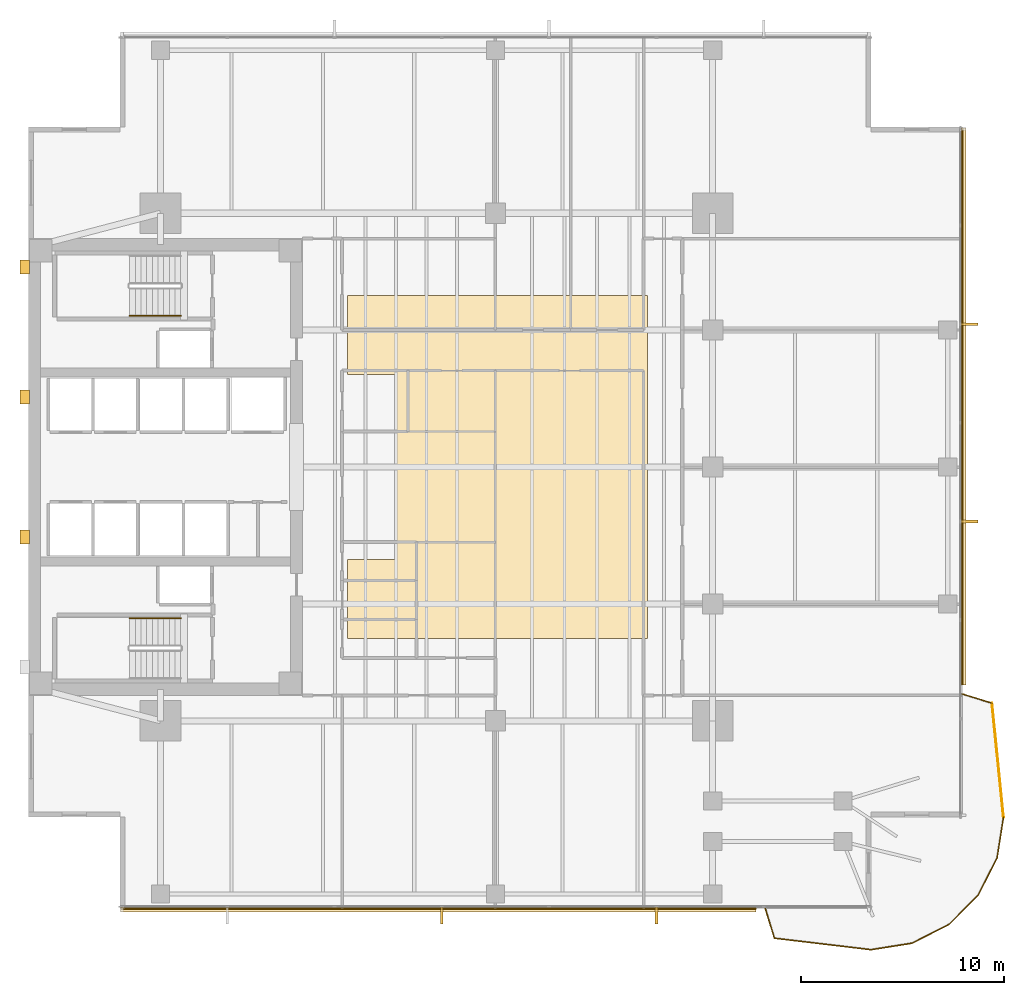
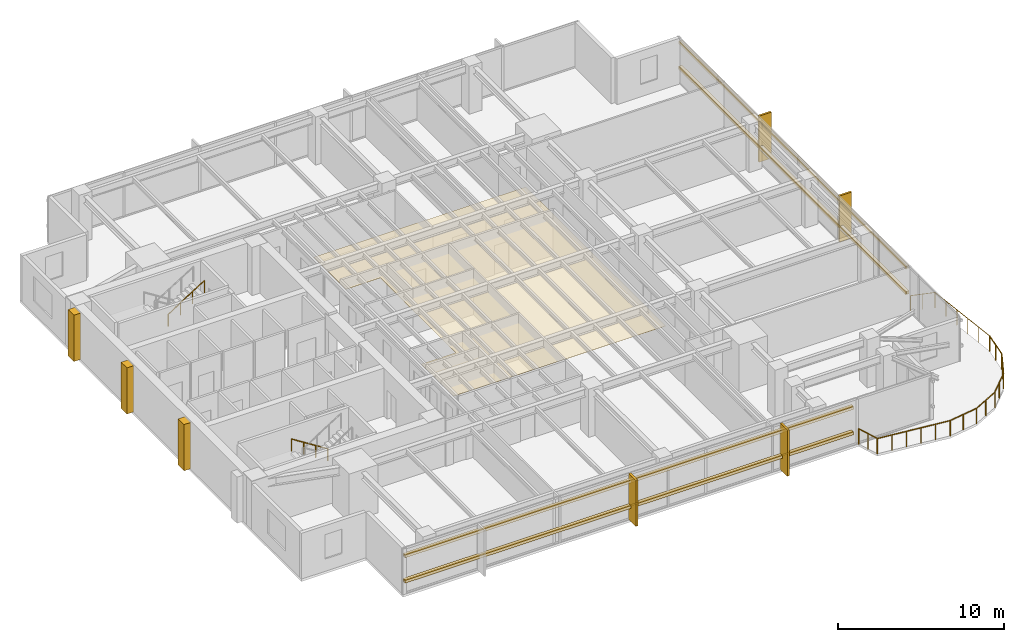
# One storey, part 12 of 14: 12 coverings, 11 railings, 4 shading devices.
"""IFC4 building model written with IfcOpenShell, lengths in metres."""

from ifc_helpers import new_model, si_unit, direction, frame, origin, origin_2d, place, context, subcontext, project, spatial, polyline, rectangle, circle, outline, extrude, material, layer, layer_set, material_profile, profile_set, type_object, element, save


model = new_model("IFC4")

# Units and contexts
model_context = context("Model", 3, precision=1e-05, world=origin(), true_north=direction((0.0, 1.0)))
body_context = subcontext(model_context, "Body", "Model", "MODEL_VIEW")
ifc_project = project(units=[si_unit("LENGTHUNIT", "METRE"), si_unit("AREAUNIT", "SQUARE_METRE"), si_unit("VOLUMEUNIT", "CUBIC_METRE"), si_unit("PLANEANGLEUNIT", "RADIAN"), si_unit("MASSUNIT", "GRAM", prefix="KILO")], contexts=[model_context])

# Site, building, storey
site_placement = place(None, origin())
site = spatial("IfcSite", under=ifc_project, at=site_placement, CompositionType="ELEMENT")
building_placement = place(site_placement, origin())
building = spatial("IfcBuilding", under=site, at=building_placement, Name="Kinhvarn Gate Tower", CompositionType="ELEMENT")
storey_placement = place(building_placement, frame((0.0, 0.0, 155.5)))
storey = spatial("IfcBuildingStorey", under=building, at=storey_placement, Name="L41", CompositionType="ELEMENT", Elevation=155.5)

# Coverings
ifc_material_1 = material(Name="Fired architectural terracotta", Category="masonry")
ifc_layer_1 = layer(ifc_material_1, 0.239990234375)
ifc_layer_set_1 = layer_set([ifc_layer_1], Name="Fired architectural terracotta")
covering_type_1 = type_object("IfcCoveringType", Name="COV-BAG-220", PredefinedType="CLADDING", material=ifc_layer_set_1)
for number, where, name in (
    (1, (0.0, 0.0, 0.93994140625), "Terracotta Horizontal Sunscreen Band TBG-220 (L41)"),
    (2, (0.0, 0.0, 2.81005859375), "Terracotta Horizontal Sunscreen Band TBG-220 (L41)"),
):
    element("IfcCovering", number, at=place(storey_placement, frame(where)), inside=storey, type_object=covering_type_1, Name=name, PredefinedType="CLADDING", context=body_context, shape_type="SweptSolid", body=[
        extrude(outline(polyline([(9.0400390625, 3.570068359375), (40.341064453125, 3.570068359375), (40.341064453125, 3.330078125), (9.0400390625, 3.330078125), (9.0400390625, 3.570068359375)])), origin(), (0.0, 0.0, 1.0), 0.219970703125),
    ])
for number, where, name in (
    (3, (0.0, 0.0, 0.93994140625), "Terracotta Horizontal Sunscreen Band TBG-220 (L41)"),
    (4, (0.0, 0.0, 2.81005859375), "Terracotta Horizontal Sunscreen Band TBG-220 (L41)"),
):
    element("IfcCovering", number, at=place(storey_placement, frame(where)), inside=storey, type_object=covering_type_1, Name=name, PredefinedType="CLADDING", context=body_context, shape_type="SweptSolid", body=[
        extrude(outline(polyline([(50.429931640625, 14.52001953125), (50.429931640625, 41.9599609375), (50.669921875, 41.9599609375), (50.669921875, 14.52001953125), (50.429931640625, 14.52001953125)])), origin(), (0.0, 0.0, 1.0), 0.219970703125),
    ])
ifc_material_2 = material(Name="Mineral-fibre acoustic ceiling tile")
ifc_layer_2 = layer(ifc_material_2, 0.02001953125)
ifc_layer_set_2 = layer_set([ifc_layer_2], Name="Mineral-fibre acoustic ceiling tile")
covering_type_2 = type_object("IfcCoveringType", Name="COV-CEIL-20", PredefinedType="CEILING", material=ifc_layer_set_2)
covering_1_placement = place(storey_placement, frame((0.0, 0.0, 2.64990234375)))
element("IfcCovering", 5, at=covering_1_placement, inside=storey, type_object=covering_type_2, Name="Suspended Acoustic Ceiling Tile (L41-1)", PredefinedType="CEILING", context=body_context, shape_type="SweptSolid", body=[
    extrude(outline(polyline([(35.0, 33.699951171875), (35.0, 16.800048828125), (20.199951171875, 16.800048828125), (20.199951171875, 20.699951171875), (22.60009765625, 20.699951171875), (22.60009765625, 29.800048828125), (20.199951171875, 29.800048828125), (20.199951171875, 33.699951171875), (35.0, 33.699951171875)])), origin(), (0.0, 0.0, 1.0), 0.02001953125),
])
ifc_layer_3 = layer(ifc_material_1, 0.139892578125)
ifc_layer_set_3 = layer_set([ifc_layer_3], Name="Fired architectural terracotta")
covering_type_3 = type_object("IfcCoveringType", Name="COV-FIN-850", PredefinedType="CLADDING", material=ifc_layer_set_3)
covering_2_placement = place(storey_placement, frame((0.0, 0.0, -0.02001953125)))
element("IfcCovering", 6, at=covering_2_placement, inside=storey, type_object=covering_type_3, Name="Vertical Terracotta Expressive Fin TFN-850 (L41)", PredefinedType="CLADDING", context=body_context, shape_type="SweptSolid", body=[
    extrude(outline(polyline([(24.787109375, 3.580078125), (24.927001953125, 3.580078125), (24.927001953125, 2.72998046875), (24.787109375, 2.72998046875), (24.787109375, 3.580078125)])), origin(), (0.0, 0.0, 1.0), 3.409912109375),
])
covering_3_placement = place(storey_placement, frame((0.0, 0.0, -0.02001953125)))
element("IfcCovering", 7, at=covering_3_placement, inside=storey, type_object=covering_type_3, Name="Vertical Terracotta Expressive Fin TFN-850 (L41)", PredefinedType="CLADDING", context=body_context, shape_type="SweptSolid", body=[
    extrude(outline(polyline([(35.358642578125, 3.580078125), (35.49853515625, 3.580078125), (35.49853515625, 2.72998046875), (35.358642578125, 2.72998046875), (35.358642578125, 3.580078125)])), origin(), (0.0, 0.0, 1.0), 3.409912109375),
])
covering_4_placement = place(storey_placement, frame((0.0, 0.0, -0.02001953125)))
element("IfcCovering", 8, at=covering_4_placement, inside=storey, type_object=covering_type_3, Name="Vertical Terracotta Expressive Fin TFN-850 (L41)", PredefinedType="CLADDING", context=body_context, shape_type="SweptSolid", body=[
    extrude(outline(polyline([(50.419921875, 22.50146484375), (50.419921875, 22.641357421875), (51.27001953125, 22.641357421875), (51.27001953125, 22.50146484375), (50.419921875, 22.50146484375)])), origin(), (0.0, 0.0, 1.0), 3.409912109375),
])
covering_5_placement = place(storey_placement, frame((0.0, 0.0, -0.02001953125)))
element("IfcCovering", 9, at=covering_5_placement, inside=storey, type_object=covering_type_3, Name="Vertical Terracotta Expressive Fin TFN-850 (L41)", PredefinedType="CLADDING", context=body_context, shape_type="SweptSolid", body=[
    extrude(outline(polyline([(50.419921875, 32.2158203125), (50.419921875, 32.355712890625), (51.27001953125, 32.355712890625), (51.27001953125, 32.2158203125), (50.419921875, 32.2158203125)])), origin(), (0.0, 0.0, 1.0), 3.409912109375),
])
ifc_material_3 = material(Name="Precast white architectural concrete C40/50", Category="concrete")
ifc_layer_4 = layer(ifc_material_3, 0.47998046875)
ifc_layer_set_4 = layer_set([ifc_layer_4], Name="Precast white architectural concrete C40/50")
covering_type_4 = type_object("IfcCoveringType", Name="COV-RIB-450", PredefinedType="CLADDING", material=ifc_layer_set_4)
covering_6_placement = place(storey_placement, frame((0.0, 0.0, -0.02001953125)))
element("IfcCovering", 10, at=covering_6_placement, inside=storey, type_object=covering_type_4, Name="West Core Sculptural Concrete Relief Rib CRB-450 (L41)", PredefinedType="CLADDING", context=body_context, shape_type="SweptSolid", body=[
    extrude(outline(polyline([(4.080078125, 21.449951171875), (4.56005859375, 21.449951171875), (4.56005859375, 22.14990234375), (4.080078125, 22.14990234375), (4.080078125, 21.449951171875)])), origin(), (0.0, 0.0, 1.0), 3.409912109375),
])
covering_7_placement = place(storey_placement, frame((0.0, 0.0, -0.02001953125)))
element("IfcCovering", 11, at=covering_7_placement, inside=storey, type_object=covering_type_4, Name="West Core Sculptural Concrete Relief Rib CRB-450 (L41)", PredefinedType="CLADDING", context=body_context, shape_type="SweptSolid", body=[
    extrude(outline(polyline([(4.080078125, 28.35009765625), (4.56005859375, 28.35009765625), (4.56005859375, 29.050048828125), (4.080078125, 29.050048828125), (4.080078125, 28.35009765625)])), origin(), (0.0, 0.0, 1.0), 3.409912109375),
])
covering_8_placement = place(storey_placement, frame((0.0, 0.0, -0.02001953125)))
element("IfcCovering", 12, at=covering_8_placement, inside=storey, type_object=covering_type_4, Name="West Core Sculptural Concrete Relief Rib CRB-450 (L41)", PredefinedType="CLADDING", context=body_context, shape_type="SweptSolid", body=[
    extrude(outline(polyline([(4.080078125, 34.75), (4.56005859375, 34.75), (4.56005859375, 35.449951171875), (4.080078125, 35.449951171875), (4.080078125, 34.75)])), origin(), (0.0, 0.0, 1.0), 3.409912109375),
])

# Railings
ifc_material_4 = material(Name="Clear low-e double glazing", Category="glass")
railing_type_1 = type_object("IfcRailingType", Name="RL-BAL-1150", PredefinedType="BALUSTRADE", material=ifc_material_4)
railing_1_placement = place(storey_placement, frame((40.791015625, 3.5, 0.0)))
element("IfcRailing", 13, at=railing_1_placement, inside=storey, type_object=railing_type_1, Name="S-Carve Balcony Guardrail Seg 1 (L41)", PredefinedType="BALUSTRADE", context=body_context, shape_type="SweptSolid", body=[
    extrude(circle(Radius=0.02392578125, at=origin_2d()), frame((0.0, 0.0, 1.1259765625), z_axis=(0.294748834357, -0.955574761411, 0.0), x_axis=(0.955574761411, 0.294748834357, 0.0)), (0.0, 0.0, 1.0), 1.526611328125),
    extrude(circle(Radius=0.02099609375, at=origin_2d()), origin(), (0.0, 0.0, 1.0), 1.101806640625),
    extrude(circle(Radius=0.02099609375, at=origin_2d()), frame((0.22509765625, -0.7294921875, 0.0)), (0.0, 0.0, 1.0), 1.101806640625),
    extrude(circle(Radius=0.02099609375, at=origin_2d()), frame((0.449951171875, -1.458740234375, 0.0)), (0.0, 0.0, 1.0), 1.101806640625),
])
railing_2_placement = place(storey_placement, frame((41.240966796875, 2.041259765625, 0.0)))
element("IfcRailing", 14, at=railing_2_placement, inside=storey, type_object=railing_type_1, Name="S-Carve Balcony Guardrail Seg 2 (L41)", PredefinedType="BALUSTRADE", context=body_context, shape_type="SweptSolid", body=[
    extrude(circle(Radius=0.02392578125, at=origin_2d()), frame((0.0, 0.0, 1.1259765625), z_axis=(0.992973887468, -0.118333675709, 0.0), x_axis=(0.118333675709, 0.992973887468, 0.0)), (0.0, 0.0, 1.0), 4.792724609375),
    extrude(circle(Radius=0.02099609375, at=origin_2d()), origin(), (0.0, 0.0, 1.0), 1.101806640625),
    extrude(circle(Radius=0.02099609375, at=origin_2d()), frame((0.951904296875, -0.113525390625, 0.0)), (0.0, 0.0, 1.0), 1.101806640625),
    extrude(circle(Radius=0.02099609375, at=origin_2d()), frame((1.903564453125, -0.226806640625, 0.0)), (0.0, 0.0, 1.0), 1.101806640625),
    extrude(circle(Radius=0.02099609375, at=origin_2d()), frame((2.85546875, -0.34033203125, 0.0)), (0.0, 0.0, 1.0), 1.101806640625),
    extrude(circle(Radius=0.02099609375, at=origin_2d()), frame((3.80712890625, -0.45361328125, 0.0)), (0.0, 0.0, 1.0), 1.101806640625),
    extrude(circle(Radius=0.02099609375, at=origin_2d()), frame((4.759033203125, -0.567138671875, 0.0)), (0.0, 0.0, 1.0), 1.101806640625),
])
railing_3_placement = place(storey_placement, frame((46.0, 1.47412109375, 0.0)))
element("IfcRailing", 15, at=railing_3_placement, inside=storey, type_object=railing_type_1, Name="S-Carve Balcony Guardrail Seg 3 (L41)", PredefinedType="BALUSTRADE", context=body_context, shape_type="SweptSolid", body=[
    extrude(circle(Radius=0.02392578125, at=origin_2d()), frame((0.0, 0.0, 1.1259765625), z_axis=(0.987693060192, 0.156404663769, 0.0), x_axis=(-0.156404663769, 0.987693060192, 0.0)), (0.0, 0.0, 1.0), 2.041748046875),
    extrude(circle(Radius=0.02099609375, at=origin_2d()), origin(), (0.0, 0.0, 1.0), 1.101806640625),
    extrude(circle(Radius=0.02099609375, at=origin_2d()), frame((1.00830078125, 0.15966796875, 0.0)), (0.0, 0.0, 1.0), 1.101806640625),
    extrude(circle(Radius=0.02099609375, at=origin_2d()), frame((2.0166015625, 0.3193359375, 0.0)), (0.0, 0.0, 1.0), 1.101806640625),
])
railing_4_placement = place(storey_placement, frame((48.0166015625, 1.79345703125, 0.0)))
element("IfcRailing", 16, at=railing_4_placement, inside=storey, type_object=railing_type_1, Name="S-Carve Balcony Guardrail Seg 4 (L41)", PredefinedType="BALUSTRADE", context=body_context, shape_type="SweptSolid", body=[
    extrude(circle(Radius=0.02392578125, at=origin_2d()), frame((0.0, 0.0, 1.1259765625), z_axis=(0.891005733394, 0.453992051758, 0.0), x_axis=(-0.453992051758, 0.891005733394, 0.0)), (0.0, 0.0, 1.0), 2.0419921875),
    extrude(circle(Radius=0.02099609375, at=origin_2d()), origin(), (0.0, 0.0, 1.0), 1.101806640625),
    extrude(circle(Radius=0.02099609375, at=origin_2d()), frame((0.90966796875, 0.46337890625, 0.0)), (0.0, 0.0, 1.0), 1.101806640625),
    extrude(circle(Radius=0.02099609375, at=origin_2d()), frame((1.8193359375, 0.927001953125, 0.0)), (0.0, 0.0, 1.0), 1.101806640625),
])
railing_5_placement = place(storey_placement, frame((49.8359375, 2.720458984375, 0.0)))
element("IfcRailing", 17, at=railing_5_placement, inside=storey, type_object=railing_type_1, Name="S-Carve Balcony Guardrail Seg 5 (L41)", PredefinedType="BALUSTRADE", context=body_context, shape_type="SweptSolid", body=[
    extrude(circle(Radius=0.02392578125, at=origin_2d()), frame((0.0, 0.0, 1.1259765625), z_axis=(0.707106781187, 0.707106781187, 0.0), x_axis=(-0.707106781187, 0.707106781187, 0.0)), (0.0, 0.0, 1.0), 2.04150390625),
    extrude(circle(Radius=0.02099609375, at=origin_2d()), origin(), (0.0, 0.0, 1.0), 1.101806640625),
    extrude(circle(Radius=0.02099609375, at=origin_2d()), frame((0.7216796875, 0.7216796875, 0.0)), (0.0, 0.0, 1.0), 1.101806640625),
    extrude(circle(Radius=0.02099609375, at=origin_2d()), frame((1.443603515625, 1.443603515625, 0.0)), (0.0, 0.0, 1.0), 1.101806640625),
])
railing_6_placement = place(storey_placement, frame((51.279541015625, 4.1640625, 0.0)))
element("IfcRailing", 18, at=railing_6_placement, inside=storey, type_object=railing_type_1, Name="S-Carve Balcony Guardrail Seg 6 (L41)", PredefinedType="BALUSTRADE", context=body_context, shape_type="SweptSolid", body=[
    extrude(circle(Radius=0.02392578125, at=origin_2d()), frame((0.0, 0.0, 1.1259765625), z_axis=(0.453992051758, 0.891005733394, 0.0), x_axis=(-0.891005733394, 0.453992051758, 0.0)), (0.0, 0.0, 1.0), 2.0419921875),
    extrude(circle(Radius=0.02099609375, at=origin_2d()), origin(), (0.0, 0.0, 1.0), 1.101806640625),
    extrude(circle(Radius=0.02099609375, at=origin_2d()), frame((0.46337890625, 0.90966796875, 0.0)), (0.0, 0.0, 1.0), 1.101806640625),
    extrude(circle(Radius=0.02099609375, at=origin_2d()), frame((0.927001953125, 1.8193359375, 0.0)), (0.0, 0.0, 1.0), 1.101806640625),
])
railing_7_placement = place(storey_placement, frame((52.20654296875, 5.9833984375, 0.0)))
element("IfcRailing", 19, at=railing_7_placement, inside=storey, type_object=railing_type_1, Name="S-Carve Balcony Guardrail Seg 7 (L41)", PredefinedType="BALUSTRADE", context=body_context, shape_type="SweptSolid", body=[
    extrude(circle(Radius=0.02392578125, at=origin_2d()), frame((0.0, 0.0, 1.1259765625), z_axis=(0.156404663769, 0.987693060192, 0.0), x_axis=(-0.987693060192, 0.156404663769, 0.0)), (0.0, 0.0, 1.0), 2.041748046875),
    extrude(circle(Radius=0.02099609375, at=origin_2d()), origin(), (0.0, 0.0, 1.0), 1.101806640625),
    extrude(circle(Radius=0.02099609375, at=origin_2d()), frame((0.15966796875, 1.00830078125, 0.0)), (0.0, 0.0, 1.0), 1.101806640625),
    extrude(circle(Radius=0.02099609375, at=origin_2d()), frame((0.3193359375, 2.0166015625, 0.0)), (0.0, 0.0, 1.0), 1.101806640625),
])
railing_8_placement = place(storey_placement, frame((52.52587890625, 8.0, 0.0)))
element("IfcRailing", 20, at=railing_8_placement, inside=storey, type_object=railing_type_1, Name="S-Carve Balcony Guardrail Seg 8 (L41)", PredefinedType="BALUSTRADE", context=body_context, shape_type="SweptSolid", body=[
    extrude(circle(Radius=0.02392578125, at=origin_2d()), frame((0.0, 0.0, 1.1259765625), z_axis=(-0.100402332444, 0.994946919006, 0.0), x_axis=(-0.994946919006, -0.100402332444, 0.0)), (0.0, 0.0, 1.0), 5.648681640625),
    extrude(circle(Radius=0.02099609375, at=origin_2d()), origin(), (0.0, 0.0, 1.0), 1.101806640625),
    extrude(circle(Radius=0.02099609375, at=origin_2d()), frame((-0.113525390625, 1.1240234375, 0.0)), (0.0, 0.0, 1.0), 1.101806640625),
    extrude(circle(Radius=0.02099609375, at=origin_2d()), frame((-0.226806640625, 2.248046875, 0.0)), (0.0, 0.0, 1.0), 1.101806640625),
    extrude(circle(Radius=0.02099609375, at=origin_2d()), frame((-0.34033203125, 3.3720703125, 0.0)), (0.0, 0.0, 1.0), 1.101806640625),
    extrude(circle(Radius=0.02099609375, at=origin_2d()), frame((-0.45361328125, 4.49609375, 0.0)), (0.0, 0.0, 1.0), 1.101806640625),
    extrude(circle(Radius=0.02099609375, at=origin_2d()), frame((-0.567138671875, 5.6201171875, 0.0)), (0.0, 0.0, 1.0), 1.101806640625),
])
railing_9_placement = place(storey_placement, frame((51.958740234375, 13.6201171875, 0.0)))
element("IfcRailing", 21, at=railing_9_placement, inside=storey, type_object=railing_type_1, Name="S-Carve Balcony Guardrail Seg 9 (L41)", PredefinedType="BALUSTRADE", context=body_context, shape_type="SweptSolid", body=[
    extrude(circle(Radius=0.02392578125, at=origin_2d()), frame((0.0, 0.0, 1.1259765625), z_axis=(-0.955574761411, 0.294748834357, 0.0), x_axis=(-0.294748834357, -0.955574761411, 0.0)), (0.0, 0.0, 1.0), 1.526611328125),
    extrude(circle(Radius=0.02099609375, at=origin_2d()), origin(), (0.0, 0.0, 1.0), 1.101806640625),
    extrude(circle(Radius=0.02099609375, at=origin_2d()), frame((-0.7294921875, 0.22509765625, 0.0)), (0.0, 0.0, 1.0), 1.101806640625),
    extrude(circle(Radius=0.02099609375, at=origin_2d()), frame((-1.458740234375, 0.449951171875, 0.0)), (0.0, 0.0, 1.0), 1.101806640625),
])
ifc_material_5 = material(Name="Steel S355", Category="steel")
railing_type_2 = type_object("IfcRailingType", Name="RL-ST-HND", PredefinedType="HANDRAIL", material=ifc_material_5)
railing_10_placement = place(storey_placement, frame((12.0, 17.800048828125, 0.177490234375)))
element("IfcRailing", 22, at=railing_10_placement, inside=storey, type_object=railing_type_2, Name="L41 ST1 stair handrail 1", PredefinedType="HANDRAIL", context=body_context, shape_type="SweptSolid", body=[
    extrude(circle(Radius=0.02392578125, at=origin_2d()), frame((0.0, 0.0, 0.8759765625), z_axis=(-0.84460694969, 0.0, 0.535386869969), x_axis=(0.0, -1.0, 0.0)), (0.0, 0.0, 1.0), 2.983642578125),
    extrude(circle(Radius=0.02099609375, at=origin_2d()), origin(), (0.0, 0.0, 1.0), 0.851806640625),
    extrude(circle(Radius=0.02099609375, at=origin_2d()), frame((-0.840087890625, 0.0, 0.532470703125)), (0.0, 0.0, 1.0), 0.851806640625),
    extrude(circle(Radius=0.02099609375, at=origin_2d()), frame((-1.679931640625, 0.0, 1.06494140625)), (0.0, 0.0, 1.0), 0.851806640625),
    extrude(circle(Radius=0.02099609375, at=origin_2d()), frame((-2.52001953125, 0.0, 1.597412109375)), (0.0, 0.0, 1.0), 0.851806640625),
])
railing_11_placement = place(storey_placement, frame((9.47998046875, 32.699951171875, 1.952392578125)))
element("IfcRailing", 23, at=railing_11_placement, inside=storey, type_object=railing_type_2, Name="L41 ST2 stair handrail 2", PredefinedType="HANDRAIL", context=body_context, shape_type="SweptSolid", body=[
    extrude(circle(Radius=0.02392578125, at=origin_2d()), frame((0.0, 0.0, 0.8759765625), z_axis=(0.84456994832, 0.0, 0.535445237532), x_axis=(0.0, 1.0, 0.0)), (0.0, 0.0, 1.0), 2.98388671875),
    extrude(circle(Radius=0.02099609375, at=origin_2d()), origin(), (0.0, 0.0, 1.0), 0.851806640625),
    extrude(circle(Radius=0.02099609375, at=origin_2d()), frame((0.840087890625, 0.0, 0.532470703125)), (0.0, 0.0, 1.0), 0.851806640625),
    extrude(circle(Radius=0.02099609375, at=origin_2d()), frame((1.679931640625, 0.0, 1.065185546875)), (0.0, 0.0, 1.0), 0.851806640625),
    extrude(circle(Radius=0.02099609375, at=origin_2d()), frame((2.52001953125, 0.0, 1.59765625)), (0.0, 0.0, 1.0), 0.851806640625),
])

# Shading devices
ifc_material_profile = material_profile(ifc_material_1, rectangle(XDim=0.050048828125, YDim=0.1201171875, at=origin_2d()), Name="TC 50x120")
ifc_profile_set = profile_set([ifc_material_profile], Name="Fired architectural terracotta")
shading_device_type = type_object("IfcShadingDeviceType", Name="SHD-BAG-140", PredefinedType="USERDEFINED", material=ifc_profile_set)
for number, where, z_axis, x_axis, name in (
    (24, (9.0400390625, 3.5, 1.050048828125), (1.0, 0.0, 0.0), (0.0, 1.0, 0.0), "Upper Tower Terracotta Baguette Screen Rod 50x120 mm (L41)"),
    (25, (9.0400390625, 3.5, 2.919921875), (1.0, 0.0, 0.0), (0.0, 1.0, 0.0), "Upper Tower Terracotta Baguette Screen Rod 50x120 mm (L41)"),
):
    element("IfcShadingDevice", number, at=place(storey_placement, frame(where, z_axis=z_axis, x_axis=x_axis)), inside=storey, type_object=shading_device_type, Name=name, ObjectType="BAGUETTE", PredefinedType="USERDEFINED", context=body_context, shape_type="SweptSolid", body=[
        extrude(rectangle(XDim=0.050048828125, YDim=0.1201171875, at=origin_2d()), origin(), (0.0, 0.0, 1.0), 31.301025390625),
    ])
for number, where, z_axis, x_axis, name in (
    (26, (50.5, 14.52001953125, 1.050048828125), (0.0, 1.0, 0.0), (-1.0, 0.0, 0.0), "Upper Tower Terracotta Baguette Screen Rod 50x120 mm (L41)"),
    (27, (50.5, 14.52001953125, 2.919921875), (0.0, 1.0, 0.0), (-1.0, 0.0, 0.0), "Upper Tower Terracotta Baguette Screen Rod 50x120 mm (L41)"),
):
    element("IfcShadingDevice", number, at=place(storey_placement, frame(where, z_axis=z_axis, x_axis=x_axis)), inside=storey, type_object=shading_device_type, Name=name, ObjectType="BAGUETTE", PredefinedType="USERDEFINED", context=body_context, shape_type="SweptSolid", body=[
        extrude(rectangle(XDim=0.050048828125, YDim=0.1201171875, at=origin_2d()), origin(), (0.0, 0.0, 1.0), 27.43994140625),
    ])

save(model, "model.ifc")
